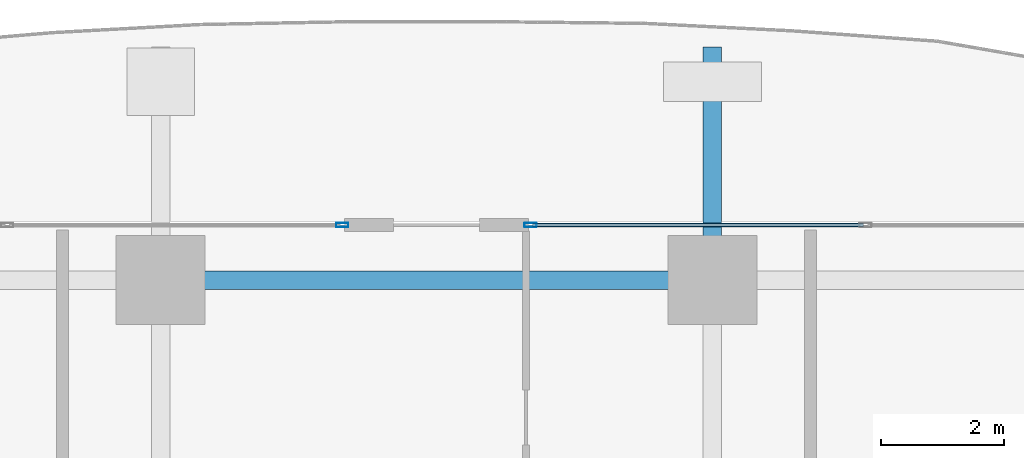
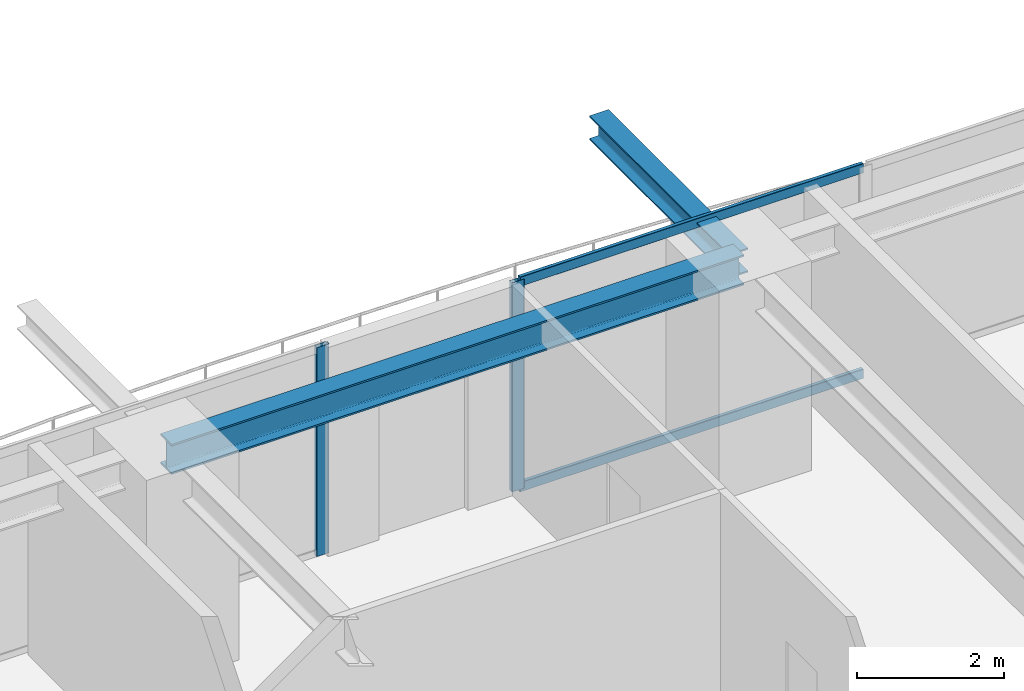
# One storey, part 21 of 37: 4 members, 2 beams, 2 elements without a shape of their own.
"""IFC4 building model written with IfcOpenShell, lengths in metres."""

from ifc_helpers import new_model, si_unit, direction, frame, origin, origin_2d, place, context, subcontext, project, spatial, hollow_rectangle, i_section, extrude, source, transform, mapped, material, layer, layer_set, material_profile, profile_set, type_object, element, aggregate, save


model = new_model("IFC4")

# Units and contexts
model_context = context("Model", 3, precision=1e-05, world=origin(), true_north=direction((0.0, 1.0)))
body_context = subcontext(model_context, "Body", "Model", "MODEL_VIEW")
ifc_project = project(units=[si_unit("LENGTHUNIT", "METRE"), si_unit("AREAUNIT", "SQUARE_METRE"), si_unit("VOLUMEUNIT", "CUBIC_METRE"), si_unit("PLANEANGLEUNIT", "RADIAN"), si_unit("MASSUNIT", "GRAM", prefix="KILO")], contexts=[model_context])

# Site, building, storey
site_placement = place(None, origin())
site = spatial("IfcSite", under=ifc_project, at=site_placement, CompositionType="ELEMENT")
building_placement = place(site_placement, origin())
building = spatial("IfcBuilding", under=site, at=building_placement, Name="Serunith Strait Residences", CompositionType="ELEMENT")
storey_placement = place(building_placement, frame((0.0, 0.0, 34.199951171875)))
storey = spatial("IfcBuildingStorey", under=building, at=storey_placement, Name="L07", CompositionType="ELEMENT", Elevation=34.199951171875)

# Beams
ifc_material_1 = material(Name="Steel S355J2", Category="steel")
ifc_material_profile_1 = material_profile(ifc_material_1, i_section(OverallWidth=0.300048828125, OverallDepth=0.5, WebThickness=0.014404296875, FlangeThickness=0.028076171875, FilletRadius=0.027099609375, at=origin_2d()), Name="HEB 500")
ifc_profile_set_1 = profile_set([ifc_material_profile_1], Name="Steel S355J2")
beam_type_1 = type_object("IfcBeamType", Name="BM-HEB500", PredefinedType="BEAM", material=ifc_profile_set_1)
shared_shape_1 = source(origin(), body_context, "Body", "SweptSolid", [
    extrude(i_section(OverallWidth=0.300048828125, OverallDepth=0.5, WebThickness=0.014404296875, FlangeThickness=0.028076171875, FilletRadius=0.027099609375, at=origin_2d()), origin(), (0.0, 0.0, 1.0), 9.0),
])
beam_1_placement = place(storey_placement, frame((36.89990234375, 49.300048828125, 3.237060546875), z_axis=(-1.0, 0.0, 0.0), x_axis=(0.0, -1.0, 0.0)))
element("IfcBeam", 1, at=beam_1_placement, inside=storey, type_object=beam_type_1, Name="L07 Perimeter Ring Beam 10", PredefinedType="BEAM", context=body_context, shape_type="MappedRepresentation", body=[
    mapped(shared_shape_1, transform((0.0, 0.0, 0.0), scale=1.0)),
])
ifc_material_profile_2 = material_profile(ifc_material_1, i_section(OverallWidth=0.300048828125, OverallDepth=0.39990234375, WebThickness=0.013427734375, FlangeThickness=0.02392578125, FilletRadius=0.027099609375, at=origin_2d()), Name="HEB 400")
ifc_profile_set_2 = profile_set([ifc_material_profile_2], Name="Steel S355J2")
beam_type_2 = type_object("IfcBeamType", Name="BM-HEB400", PredefinedType="BEAM", material=ifc_profile_set_2)
shared_shape_2 = source(origin(), body_context, "Body", "SweptSolid", [
    extrude(i_section(OverallWidth=0.300048828125, OverallDepth=0.39990234375, WebThickness=0.013427734375, FlangeThickness=0.02392578125, FilletRadius=0.027099609375, at=origin_2d()), origin(), (0.0, 0.0, 1.0), 3.800048828125),
])
beam_2_placement = place(storey_placement, frame((36.89990234375, 49.300048828125, 3.257080078125), z_axis=(0.0, 1.0, 0.0), x_axis=(-1.0, 0.0, 0.0)))
element("IfcBeam", 2, at=beam_2_placement, inside=storey, type_object=beam_type_2, Name="L08 Cantilevered Balcony Rib TC-N3", PredefinedType="BEAM", context=body_context, shape_type="MappedRepresentation", body=[
    mapped(shared_shape_2, transform((0.0, 0.0, 0.0), scale=1.0)),
])

# Curtain wall, member
ifc_material_2 = material(Name="Pale-Champagne Anodised Aluminium", Category="aluminium")
ifc_layer = layer(ifc_material_2, 0.199951171875, Name="Pale-Champagne Anodised Aluminium")
ifc_layer_set = layer_set([ifc_layer], Name="Pale-Champagne Anodised Aluminium")
curtain_wall_type = type_object("IfcCurtainWallType", Name="CW-SYS1", PredefinedType="NOTDEFINED", material=ifc_layer_set)
curtain_wall_1_placement = place(storey_placement, origin())
curtain_wall_1 = element("IfcCurtainWall", 3, at=curtain_wall_1_placement, inside=storey, type_object=curtain_wall_type, Name="L07 N Unitised Fritted Curtain Wall", PredefinedType="NOTDEFINED")
ifc_material_profile_3 = material_profile(ifc_material_2, hollow_rectangle(XDim=0.070068359375, YDim=0.199951171875, WallThickness=0.00390625, InnerFilletRadius=0.006103515625, OuterFilletRadius=0.010009765625, at=origin_2d()), Name="ALU 200x70x4")
ifc_profile_set_3 = profile_set([ifc_material_profile_3], Name="Pale-Champagne Anodised Aluminium")
member_type_1 = type_object("IfcMemberType", Name="CW-SYS1-MULL", PredefinedType="MULLION", material=ifc_profile_set_3)
shared_shape_3 = source(origin(), body_context, "Body", "SweptSolid", [
    extrude(hollow_rectangle(XDim=0.070068359375, YDim=0.199951171875, WallThickness=0.00390625, InnerFilletRadius=0.006103515625, OuterFilletRadius=0.010009765625, at=origin_2d()), origin(), (0.0, 0.0, 1.0), 3.47509765625),
])
member_1_placement = place(storey_placement, frame((33.93505859375, 50.199951171875, 0.0), z_axis=(0.0, 0.0, 1.0), x_axis=(0.0, -1.0, 0.0)))
member_1 = element("IfcMember", 4, at=member_1_placement, type_object=member_type_1, Name="CW-1 mullion 4", PredefinedType="MULLION", context=body_context, shape_type="MappedRepresentation", body=[
    mapped(shared_shape_3, transform((0.0, 0.0, 0.0), scale=1.0)),
])

curtain_wall_2_placement = place(storey_placement, origin())
curtain_wall_2 = element("IfcCurtainWall", 5, at=curtain_wall_2_placement, inside=storey, type_object=curtain_wall_type, Name="L07 N Unitised Fritted Curtain Wall", PredefinedType="NOTDEFINED")
member_2_placement = place(storey_placement, frame((30.864990234375, 50.199951171875, 0.0), z_axis=(0.0, 0.0, 1.0), x_axis=(0.0, -1.0, 0.0)))
member_2 = element("IfcMember", 6, at=member_2_placement, type_object=member_type_1, Name="CW-1 mullion 1", PredefinedType="MULLION", context=body_context, shape_type="MappedRepresentation", body=[
    mapped(shared_shape_3, transform((0.0, 0.0, 0.0), scale=1.0)),
])
aggregate(curtain_wall_2, [member_2])

# Member
ifc_material_profile_4 = material_profile(ifc_material_2, hollow_rectangle(XDim=0.06005859375, YDim=0.159912109375, WallThickness=0.00341796875, InnerFilletRadius=0.00537109375, OuterFilletRadius=0.0087890625, at=origin_2d()), Name="ALU 160x60x3.5")
ifc_profile_set_4 = profile_set([ifc_material_profile_4], Name="Pale-Champagne Anodised Aluminium")
member_type_2 = type_object("IfcMemberType", Name="CW-SYS1-TRAN", PredefinedType="USERDEFINED", material=ifc_profile_set_4)
shared_shape_4 = source(origin(), body_context, "Body", "SweptSolid", [
    extrude(hollow_rectangle(XDim=0.06005859375, YDim=0.159912109375, WallThickness=0.00341796875, InnerFilletRadius=0.00537109375, OuterFilletRadius=0.0087890625, at=origin_2d()), origin(), (0.0, 0.0, 1.0), 5.39501953125),
])
member_3_placement = place(storey_placement, frame((39.364990234375, 50.199951171875, 0.030029296875), z_axis=(-1.0, 0.0, 0.0), x_axis=(0.0, -1.0, 0.0)))
member_3 = element("IfcMember", 7, at=member_3_placement, type_object=member_type_2, Name="CW-1 transom 3.1", ObjectType="TRANSOM", PredefinedType="USERDEFINED", context=body_context, shape_type="MappedRepresentation", body=[
    mapped(shared_shape_4, transform((0.0, 0.0, 0.0), scale=1.0)),
])

member_4_placement = place(storey_placement, frame((39.364990234375, 50.199951171875, 3.445068359375), z_axis=(-1.0, 0.0, 0.0), x_axis=(0.0, -1.0, 0.0)))
member_4 = element("IfcMember", 8, at=member_4_placement, type_object=member_type_2, Name="CW-1 transom 3.2", ObjectType="TRANSOM", PredefinedType="USERDEFINED", context=body_context, shape_type="MappedRepresentation", body=[
    mapped(shared_shape_4, transform((0.0, 0.0, 0.0), scale=1.0)),
])

aggregate(curtain_wall_1, [member_1, member_3, member_4])

save(model, "model.ifc")
